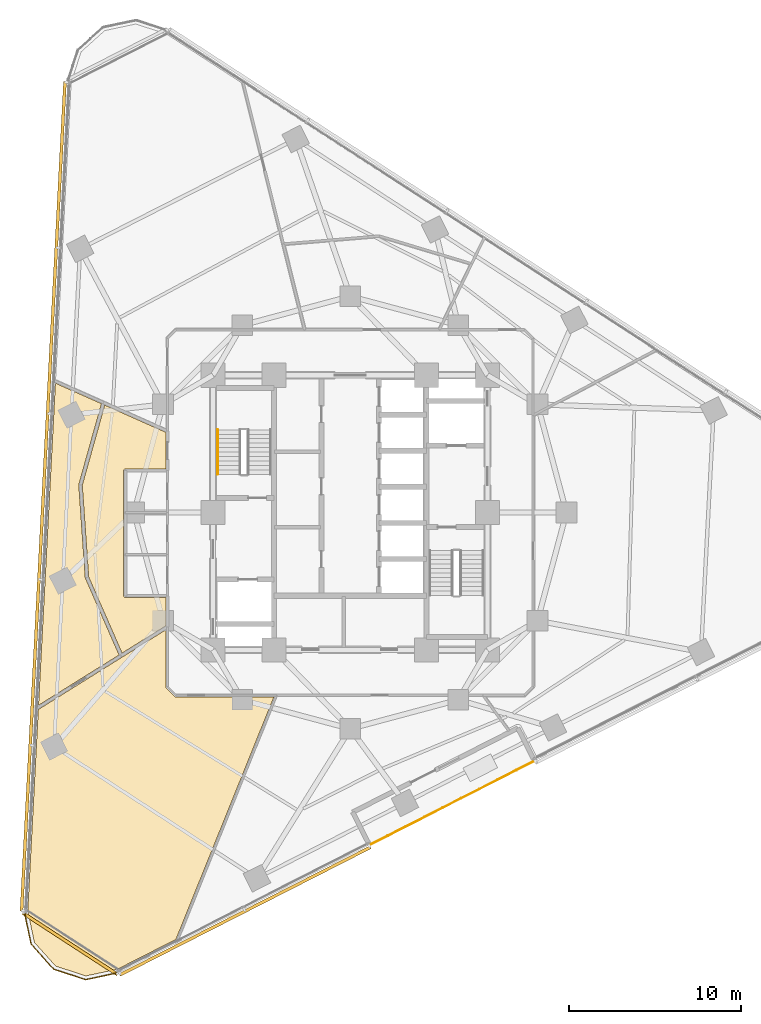
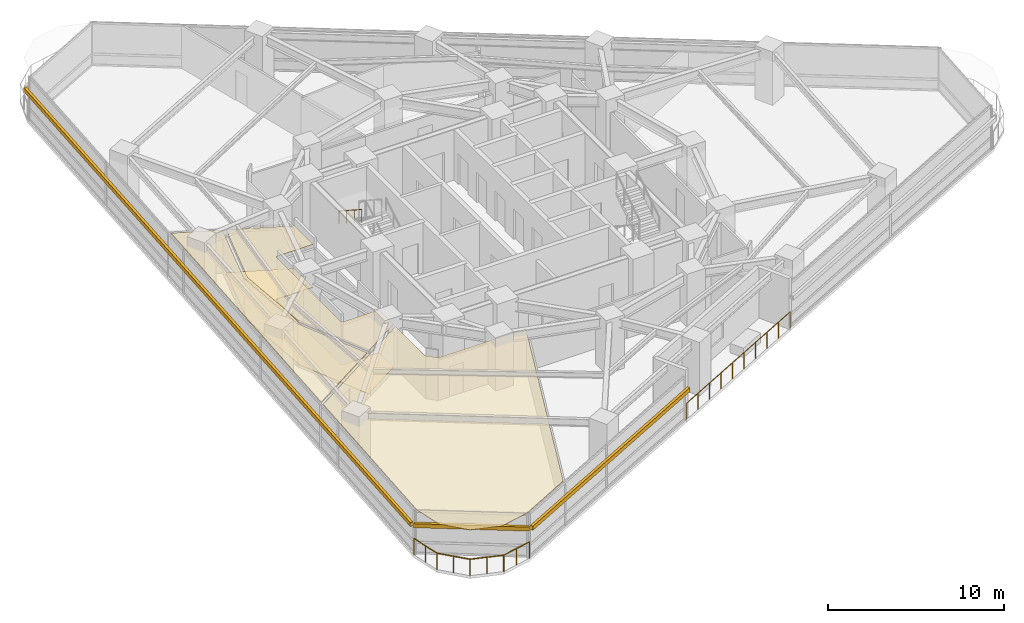
# One storey, part 12 of 14: 4 coverings, 3 railings, 3 shading devices.
"""IFC4 building model written with IfcOpenShell, lengths in metres."""

from ifc_helpers import new_model, si_unit, direction, frame, origin, origin_2d, place, context, subcontext, project, spatial, polyline, rectangle, circle, outline, extrude, material, layer, layer_set, type_object, element, save


model = new_model("IFC4")

# Units and contexts
model_context = context("Model", 3, precision=1e-05, world=origin(), true_north=direction((0.0, 1.0)))
body_context = subcontext(model_context, "Body", "Model", "MODEL_VIEW")
ifc_project = project(units=[si_unit("LENGTHUNIT", "METRE"), si_unit("AREAUNIT", "SQUARE_METRE"), si_unit("VOLUMEUNIT", "CUBIC_METRE"), si_unit("PLANEANGLEUNIT", "RADIAN"), si_unit("MASSUNIT", "GRAM", prefix="KILO")], contexts=[model_context])

# Site, building, storey
site_placement = place(None, origin())
site = spatial("IfcSite", under=ifc_project, at=site_placement, CompositionType="ELEMENT")
building_placement = place(site_placement, origin())
building = spatial("IfcBuilding", under=site, at=building_placement, Name="Terralouvre Media Tower", CompositionType="ELEMENT")
storey_placement = place(building_placement, frame((0.0, 0.0, 131.0)))
storey = spatial("IfcBuildingStorey", under=building, at=storey_placement, Name="L33", CompositionType="ELEMENT", Elevation=131.0)

# Coverings
ifc_material_1 = material(Name="Resilient elastomer acoustic broadcast studio flooring")
ifc_layer_1 = layer(ifc_material_1, 0.050048828125, Name="Broadcast Studio Acoustic Floating Floor FL-AC1")
ifc_layer_set_1 = layer_set([ifc_layer_1], Name="Resilient elastomer acoustic broadcast studio flooring")
covering_type_1 = type_object("IfcCoveringType", Name="Broadcast Studio Acoustic Floating Floor FL-AC1", PredefinedType="FLOORING", material=ifc_layer_set_1)
covering_1_placement = place(storey_placement, frame((0.0, 0.0, 0.0), z_axis=(0.0, 0.0, 1.0), x_axis=(0.891006524188, 0.45399049974, 0.0)))
element("IfcCovering", 1, at=covering_1_placement, inside=storey, type_object=covering_type_1, Name="L33 Audio Digitisation Control Room 1 Acoustic Floating Floor", PredefinedType="FLOORING", context=body_context, shape_type="SweptSolid", body=[
    extrude(outline(polyline([(-13.1904296875, 8.51171875), (-15.2861328125, 3.575927734375), (-15.567626953125, -1.261962890625), (-12.574462890625, -1.0), (-11.82568359375, 0.469970703125), (-13.91943359375, 1.536865234375), (-13.927978515625, 1.541748046875), (-13.93603515625, 1.54736328125), (-13.943359375, 1.5537109375), (-13.9501953125, 1.56103515625), (-13.9560546875, 1.568603515625), (-13.96142578125, 1.5771484375), (-13.965576171875, 1.585693359375), (-13.96923828125, 1.594970703125), (-13.9716796875, 1.6044921875), (-13.973388671875, 1.614013671875), (-13.97412109375, 1.6240234375), (-13.973876953125, 1.6337890625), (-13.972412109375, 1.6435546875), (-13.97021484375, 1.653076171875), (-13.967041015625, 1.662353515625), (-13.963134765625, 1.67138671875), (-10.64892578125, 8.175537109375), (-10.64404296875, 8.18408203125), (-10.638427734375, 8.192138671875), (-10.632080078125, 8.199462890625), (-10.624755859375, 8.206298828125), (-10.6171875, 8.212158203125), (-10.608642578125, 8.217529296875), (-10.60009765625, 8.221923828125), (-10.5908203125, 8.225341796875), (-10.581298828125, 8.227783203125), (-10.57177734375, 8.2294921875), (-10.561767578125, 8.230224609375), (-10.552001953125, 8.22998046875), (-10.542236328125, 8.228759765625), (-10.53271484375, 8.2265625), (-10.5234375, 8.223388671875), (-10.514404296875, 8.21923828125), (-8.420654296875, 7.15234375), (-7.455078125, 9.047607421875), (-9.90673828125, 12.0751953125), (-13.1904296875, 8.51171875)])), origin(), (0.0, 0.0, 1.0), 0.050048828125),
])
ifc_material_2 = material(Name="Perforated aluminium acoustic ceiling baffle", Category="aluminium")
ifc_layer_2 = layer(ifc_material_2, 0.0400390625, Name="Perforated Acoustic Metal Tile Ceiling CL-AC1")
ifc_layer_set_2 = layer_set([ifc_layer_2], Name="Perforated aluminium acoustic ceiling baffle")
covering_type_2 = type_object("IfcCoveringType", Name="Perforated Acoustic Metal Tile Ceiling CL-AC1", PredefinedType="CEILING", material=ifc_layer_set_2)
covering_2_placement = place(storey_placement, frame((0.0, 0.0, 2.97998046875), z_axis=(0.0, 0.0, 1.0), x_axis=(0.891006524188, 0.45399049974, 0.0)))
element("IfcCovering", 2, at=covering_2_placement, inside=storey, type_object=covering_type_2, Name="L33 Audio Digitisation Control Room 1 Acoustic Ceiling", PredefinedType="CEILING", context=body_context, shape_type="SweptSolid", body=[
    extrude(outline(polyline([(-13.1904296875, 8.51171875), (-15.2861328125, 3.575927734375), (-15.567626953125, -1.261962890625), (-12.574462890625, -1.0), (-11.82568359375, 0.469970703125), (-13.91943359375, 1.536865234375), (-13.927978515625, 1.541748046875), (-13.93603515625, 1.54736328125), (-13.943359375, 1.5537109375), (-13.9501953125, 1.56103515625), (-13.9560546875, 1.568603515625), (-13.96142578125, 1.5771484375), (-13.965576171875, 1.585693359375), (-13.96923828125, 1.594970703125), (-13.9716796875, 1.6044921875), (-13.973388671875, 1.614013671875), (-13.97412109375, 1.6240234375), (-13.973876953125, 1.6337890625), (-13.972412109375, 1.6435546875), (-13.97021484375, 1.653076171875), (-13.967041015625, 1.662353515625), (-13.963134765625, 1.67138671875), (-10.64892578125, 8.175537109375), (-10.64404296875, 8.18408203125), (-10.638427734375, 8.192138671875), (-10.632080078125, 8.199462890625), (-10.624755859375, 8.206298828125), (-10.6171875, 8.212158203125), (-10.608642578125, 8.217529296875), (-10.60009765625, 8.221923828125), (-10.5908203125, 8.225341796875), (-10.581298828125, 8.227783203125), (-10.57177734375, 8.2294921875), (-10.561767578125, 8.230224609375), (-10.552001953125, 8.22998046875), (-10.542236328125, 8.228759765625), (-10.53271484375, 8.2265625), (-10.5234375, 8.223388671875), (-10.514404296875, 8.21923828125), (-8.420654296875, 7.15234375), (-7.455078125, 9.047607421875), (-9.90673828125, 12.0751953125), (-13.1904296875, 8.51171875)])), origin(), (0.0, 0.0, 1.0), 0.0400390625),
])
covering_3_placement = place(storey_placement, frame((0.0, 0.0, 2.97998046875), z_axis=(0.0, 0.0, 1.0), x_axis=(0.891006524188, 0.45399049974, 0.0)))
element("IfcCovering", 3, at=covering_3_placement, inside=storey, type_object=covering_type_2, Name="L33 Classical and Jazz Listening Library 2 Acoustic Ceiling", PredefinedType="CEILING", context=body_context, shape_type="SweptSolid", body=[
    extrude(outline(polyline([(-15.48486328125, 3.604736328125), (-15.483642578125, 3.6162109375), (-15.48095703125, 3.627197265625), (-15.47705078125, 3.637939453125), (-13.367919921875, 8.60595703125), (-13.36279296875, 8.6162109375), (-13.3564453125, 8.625732421875), (-13.349365234375, 8.634521484375), (-10.033935546875, 12.232421875), (-11.88525390625, 14.517578125), (-21.28466796875, -1.761474609375), (-15.768798828125, -1.279541015625), (-15.48486328125, 3.604736328125)])), origin(), (0.0, 0.0, 1.0), 0.0400390625),
])
covering_4_placement = place(storey_placement, frame((0.0, 0.0, 2.97998046875), z_axis=(0.0, 0.0, 1.0), x_axis=(0.891006524188, 0.45399049974, 0.0)))
element("IfcCovering", 4, at=covering_4_placement, inside=storey, type_object=covering_type_2, Name="L33 Arts Critique Seminar Room 3 Acoustic Ceiling", PredefinedType="CEILING", context=body_context, shape_type="SweptSolid", body=[
    extrude(outline(polyline([(-20.343505859375, -17.55224609375), (-8.846435546875, -7.557373046875), (-13.924072265625, -4.97021484375), (-13.9326171875, -4.96533203125), (-13.940673828125, -4.959716796875), (-13.947998046875, -4.953369140625), (-13.954833984375, -4.946044921875), (-13.960693359375, -4.9384765625), (-13.966064453125, -4.929931640625), (-13.97021484375, -4.92138671875), (-13.973876953125, -4.912109375), (-14.1923828125, -4.239501953125), (-14.19482421875, -4.230224609375), (-14.196533203125, -4.220458984375), (-14.197265625, -4.210693359375), (-14.197021484375, -4.200927734375), (-14.195556640625, -4.191162109375), (-14.193603515625, -4.181640625), (-14.1904296875, -4.17236328125), (-14.186279296875, -4.163330078125), (-12.681640625, -1.2099609375), (-15.665283203125, -1.47119140625), (-21.40673828125, -1.97265625), (-27.285400390625, -12.15673828125), (-27.771728515625, -13.9716796875), (-27.293212890625, -15.7578125), (-25.986328125, -17.06494140625), (-24.17041015625, -17.5517578125), (-20.343505859375, -17.55224609375)])), origin(), (0.0, 0.0, 1.0), 0.0400390625),
])

# Railings
ifc_material_3 = material(Name="Stainless steel 316 handrail and balustrade", Category="steel")
ifc_layer_3 = layer(ifc_material_3, 0.06005859375, Name="Roof Edge Safety Guardrail GR-ROOF1")
ifc_layer_set_3 = layer_set([ifc_layer_3], Name="Stainless steel 316 handrail and balustrade")
railing_type_1 = type_object("IfcRailingType", Name="Roof Edge Safety Guardrail GR-ROOF1", PredefinedType="GUARDRAIL", material=ifc_layer_set_3)
railing_1_placement = place(storey_placement, frame((1.118408203125, -19.3759765625, 0.0)))
element("IfcRailing", 5, at=railing_1_placement, inside=storey, type_object=railing_type_1, Name="L33 SG Outer Edge Glass Balustrade", PredefinedType="GUARDRAIL", context=body_context, shape_type="SweptSolid", body=[
    extrude(circle(Radius=0.02392578125, at=origin_2d()), frame((0.0, 0.0, 1.1259765625), z_axis=(0.891006026667, 0.453991476178, 0.0), x_axis=(-0.453991476178, 0.891006026667, 0.0)), (0.0, 0.0, 1.0), 10.800048828125),
    extrude(circle(Radius=0.02099609375, at=origin_2d()), origin(), (0.0, 0.0, 1.0), 1.101806640625),
    extrude(circle(Radius=0.02099609375, at=origin_2d()), frame((1.069091796875, 0.544677734375, 0.0)), (0.0, 0.0, 1.0), 1.101806640625),
    extrude(circle(Radius=0.02099609375, at=origin_2d()), frame((2.138427734375, 1.089599609375, 0.0)), (0.0, 0.0, 1.0), 1.101806640625),
    extrude(circle(Radius=0.02099609375, at=origin_2d()), frame((3.20751953125, 1.63427734375, 0.0)), (0.0, 0.0, 1.0), 1.101806640625),
    extrude(circle(Radius=0.02099609375, at=origin_2d()), frame((4.27685546875, 2.17919921875, 0.0)), (0.0, 0.0, 1.0), 1.101806640625),
    extrude(circle(Radius=0.02099609375, at=origin_2d()), frame((5.345947265625, 2.723876953125, 0.0)), (0.0, 0.0, 1.0), 1.101806640625),
    extrude(circle(Radius=0.02099609375, at=origin_2d()), frame((6.415283203125, 3.268798828125, 0.0)), (0.0, 0.0, 1.0), 1.101806640625),
    extrude(circle(Radius=0.02099609375, at=origin_2d()), frame((7.484375, 3.8134765625, 0.0)), (0.0, 0.0, 1.0), 1.101806640625),
    extrude(circle(Radius=0.02099609375, at=origin_2d()), frame((8.5537109375, 4.3583984375, 0.0)), (0.0, 0.0, 1.0), 1.101806640625),
    extrude(circle(Radius=0.02099609375, at=origin_2d()), frame((9.622802734375, 4.903076171875, 0.0)), (0.0, 0.0, 1.0), 1.101806640625),
])
railing_2_placement = place(storey_placement, frame((-19.004638671875, -23.22509765625, 0.0)))
element("IfcRailing", 6, at=railing_2_placement, inside=storey, type_object=railing_type_1, Name="L33 Wind-Corner Perimeter Safety Guardrail C0", PredefinedType="GUARDRAIL", context=body_context, shape_type="SweptSolid", body=[
    extrude(circle(Radius=0.02099609375, at=origin_2d()), frame((0.0, 0.0, 1.12890625), z_axis=(0.20770581411, -0.978191338535, 0.0), x_axis=(0.978191338535, 0.20770581411, 0.0)), (0.0, 0.0, 1.0), 1.966552734375),
    extrude(circle(Radius=0.02099609375, at=origin_2d()), frame((0.408447265625, -1.923583984375, 1.12890625), z_axis=(0.669067634628, -0.743201520648, 0.0), x_axis=(0.743201520648, 0.669067634628, 0.0)), (0.0, 0.0, 1.0), 1.966064453125),
    extrude(circle(Radius=0.02099609375, at=origin_2d()), frame((1.723876953125, -3.384765625, 1.12890625), z_axis=(0.951088800654, -0.308917615669, 0.0), x_axis=(0.308917615669, 0.951088800654, 0.0)), (0.0, 0.0, 1.0), 1.96630859375),
    extrude(circle(Radius=0.02099609375, at=origin_2d()), frame((3.593994140625, -3.9921875, 1.12890625), z_axis=(0.978110230454, 0.208087426535, 0.0), x_axis=(-0.208087426535, 0.978110230454, 0.0)), (0.0, 0.0, 1.0), 1.96630859375),
    extrude(circle(Radius=0.01904296875, at=origin_2d()), origin(), (0.0, 0.0, 1.0), 1.10791015625),
    extrude(circle(Radius=0.01904296875, at=origin_2d()), frame((0.2041015625, -0.9619140625, 0.0)), (0.0, 0.0, 1.0), 1.10791015625),
    extrude(circle(Radius=0.01904296875, at=origin_2d()), frame((0.408447265625, -1.923583984375, 0.0)), (0.0, 0.0, 1.0), 1.10791015625),
    extrude(circle(Radius=0.01904296875, at=origin_2d()), frame((1.066162109375, -2.654296875, 0.0)), (0.0, 0.0, 1.0), 1.10791015625),
    extrude(circle(Radius=0.01904296875, at=origin_2d()), frame((1.723876953125, -3.384765625, 0.0)), (0.0, 0.0, 1.0), 1.10791015625),
    extrude(circle(Radius=0.01904296875, at=origin_2d()), frame((2.658935546875, -3.6884765625, 0.0)), (0.0, 0.0, 1.0), 1.10791015625),
    extrude(circle(Radius=0.01904296875, at=origin_2d()), frame((3.593994140625, -3.9921875, 0.0)), (0.0, 0.0, 1.0), 1.10791015625),
    extrude(circle(Radius=0.01904296875, at=origin_2d()), frame((4.5556640625, -3.78759765625, 0.0)), (0.0, 0.0, 1.0), 1.10791015625),
    extrude(circle(Radius=0.01904296875, at=origin_2d()), frame((5.517333984375, -3.5830078125, 0.0)), (0.0, 0.0, 1.0), 1.10791015625),
])
ifc_material_4 = material(Name="Stainless steel 316 handrail and balustrade", Category="steel")
ifc_layer_4 = layer(ifc_material_4, 0.050048828125, Name="Stair Flight Wall Handrail HR-INT1")
ifc_layer_set_4 = layer_set([ifc_layer_4], Name="Stainless steel 316 handrail and balustrade")
railing_type_2 = type_object("IfcRailingType", Name="Stair Flight Wall Handrail HR-INT1", PredefinedType="HANDRAIL", material=ifc_layer_set_4)
railing_3_placement = place(storey_placement, frame((-7.72998046875, 4.820068359375, 2.01806640625)))
element("IfcRailing", 7, at=railing_3_placement, inside=storey, type_object=railing_type_2, Name="L33 ST-01 stair handrail 2", PredefinedType="HANDRAIL", context=body_context, shape_type="SweptSolid", body=[
    extrude(circle(Radius=0.02392578125, at=origin_2d()), frame((0.0, 0.0, 0.8759765625), z_axis=(0.0, -0.839648411786, 0.543130320075), x_axis=(1.0, 0.0, 0.0)), (0.0, 0.0, 1.0), 3.0966796875),
    extrude(circle(Radius=0.02099609375, at=origin_2d()), origin(), (0.0, 0.0, 1.0), 0.851806640625),
    extrude(circle(Radius=0.02099609375, at=origin_2d()), frame((0.0, -0.86669921875, 0.560546875)), (0.0, 0.0, 1.0), 0.851806640625),
    extrude(circle(Radius=0.02099609375, at=origin_2d()), frame((0.0, -1.7333984375, 1.121337890625)), (0.0, 0.0, 1.0), 0.851806640625),
    extrude(circle(Radius=0.02099609375, at=origin_2d()), frame((0.0, -2.60009765625, 1.681884765625)), (0.0, 0.0, 1.0), 0.851806640625),
])

# Shading devices
ifc_material_5 = material(Name="Extruded terracotta baguette sunshade louvres", Category="masonry")
shading_device_type = type_object("IfcShadingDeviceType", Name="Terracotta Baguette Sunshade Louvre Screen TB-LV1", PredefinedType="USERDEFINED", material=ifc_material_5)
shading_device_1_placement = place(storey_placement, frame((-6.124267578125, -23.223388671875, 2.02392578125), z_axis=(0.0, 0.0, 1.0), x_axis=(0.891006665419, 0.453990222559, 0.0)))
element("IfcShadingDevice", 8, at=shading_device_1_placement, inside=storey, type_object=shading_device_type, Name="CW-L33-F0L Terracotta Baguette Sunshade Louvre", ObjectType="BAGUETTE", PredefinedType="USERDEFINED", context=body_context, shape_type="SweptSolid", body=[
    extrude(rectangle(XDim=16.39990234375, YDim=0.179931640625, at=origin_2d()), origin(), (0.0, 0.0, 1.0), 0.280029296875),
])
shading_device_2_placement = place(storey_placement, frame((-17.887451171875, 0.9375, 2.02392578125), z_axis=(0.0, 0.0, 1.0), x_axis=(-0.052335949864, -0.998629535089, 0.0)))
element("IfcShadingDevice", 9, at=shading_device_2_placement, inside=storey, type_object=shading_device_type, Name="CW-L33-F2 Terracotta Baguette Sunshade Louvre", ObjectType="BAGUETTE", PredefinedType="USERDEFINED", context=body_context, shape_type="SweptSolid", body=[
    extrude(rectangle(XDim=48.39990234375, YDim=0.179931640625, at=origin_2d()), origin(), (0.0, 0.0, 1.0), 0.280029296875),
])
shading_device_3_placement = place(storey_placement, frame((-16.3193359375, -25.129638671875, 2.02392578125), z_axis=(0.0, 0.0, 1.0), x_axis=(0.838670390568, -0.544639308152, 0.0)))
element("IfcShadingDevice", 10, at=shading_device_3_placement, inside=storey, type_object=shading_device_type, Name="CW-L33-C0 Terracotta Baguette Sunshade Louvre", ObjectType="BAGUETTE", PredefinedType="USERDEFINED", context=body_context, shape_type="SweptSolid", body=[
    extrude(rectangle(XDim=6.581787109375, YDim=0.179931640625, at=origin_2d()), origin(), (0.0, 0.0, 1.0), 0.280029296875),
])

save(model, "model.ifc")
